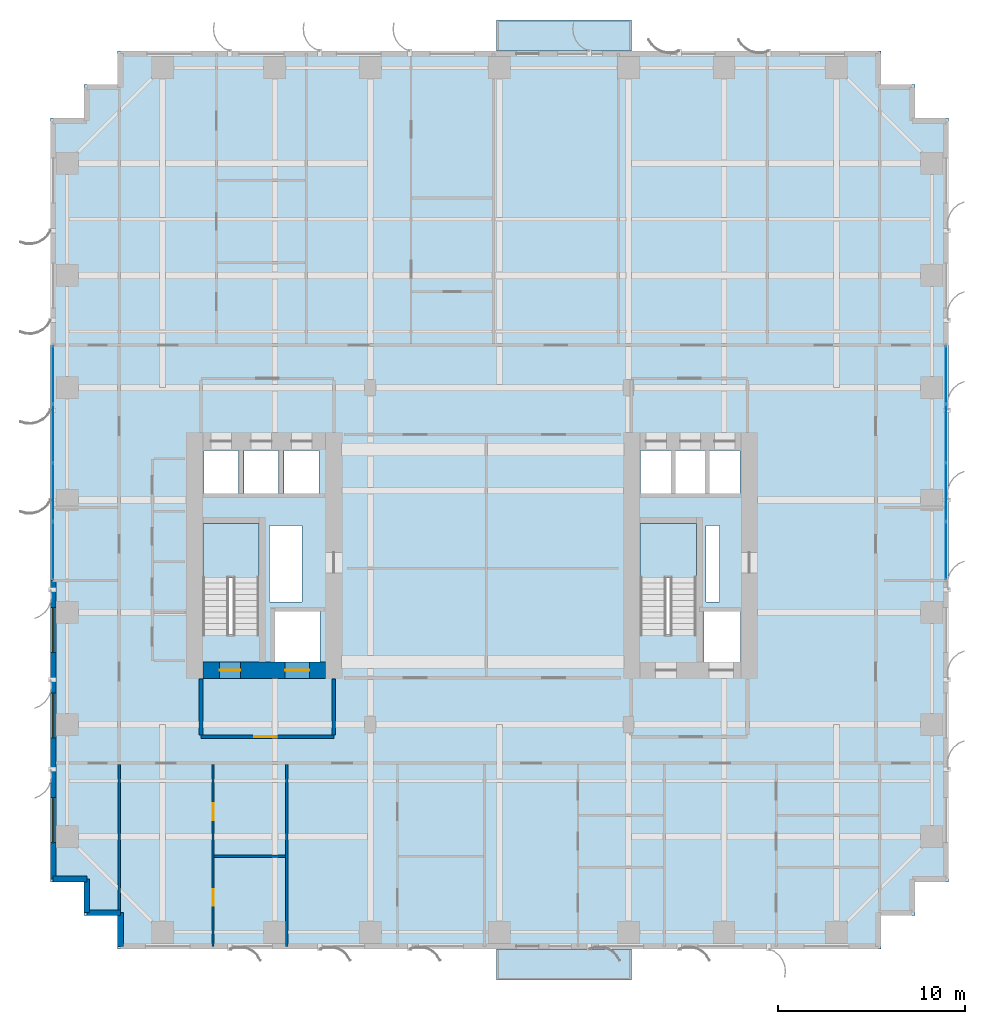
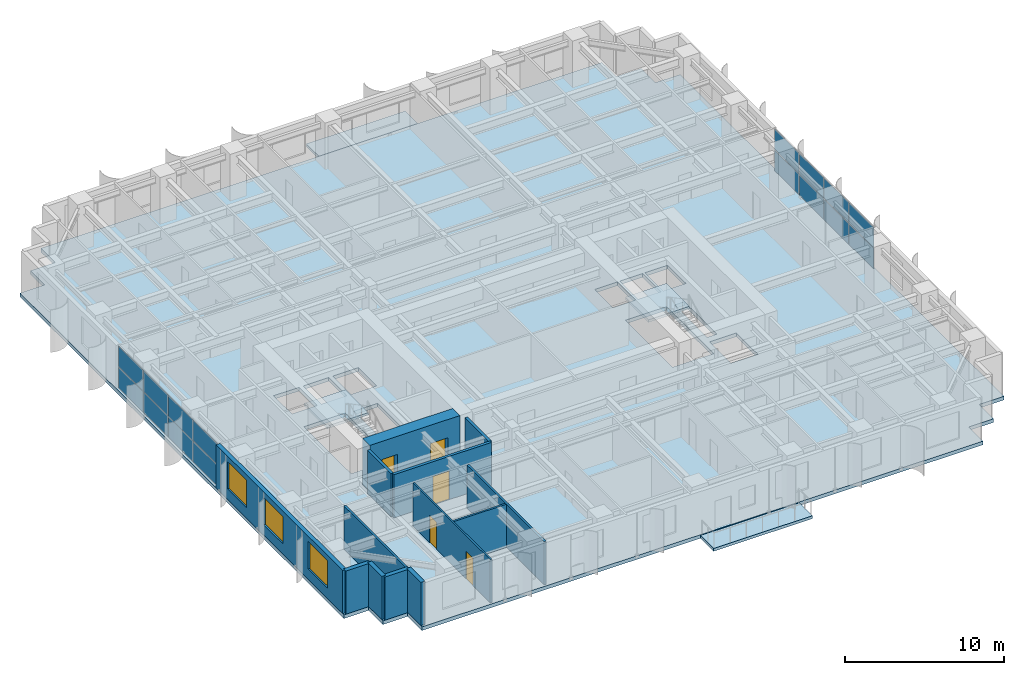
# One storey, part 8 of 17: 16 plates, 13 walls, 5 doors, 5 slabs, 3 windows, 8 openings, 4 elements without a shape of their own.
"""IFC4 building model written with IfcOpenShell, lengths in metres."""

from ifc_helpers import new_model, si_unit, direction, frame, frame_2d, origin, origin_2d, place, context, subcontext, project, spatial, polyline, rectangle, outline, extrude, source, transform, mapped, material, layer, layer_set, type_object, element, fill, aggregate, save


model = new_model("IFC4")

# Units and contexts
model_context = context("Model", 3, precision=1e-05, world=origin(), true_north=direction((0.0, 1.0)))
body_context = subcontext(model_context, "Body", "Model", "MODEL_VIEW")
ifc_project = project(units=[si_unit("LENGTHUNIT", "METRE"), si_unit("AREAUNIT", "SQUARE_METRE"), si_unit("VOLUMEUNIT", "CUBIC_METRE"), si_unit("PLANEANGLEUNIT", "RADIAN"), si_unit("MASSUNIT", "GRAM", prefix="KILO")], contexts=[model_context])

# Site, building, storey
site_placement = place(None, origin())
site = spatial("IfcSite", under=ifc_project, at=site_placement, CompositionType="ELEMENT")
building_placement = place(site_placement, origin())
building = spatial("IfcBuilding", under=site, at=building_placement, Name="Khoralis Quay Care Tower", CompositionType="ELEMENT")
storey_placement = place(building_placement, frame((0.0, 0.0, 58.5)))
storey = spatial("IfcBuildingStorey", under=building, at=storey_placement, Name="L15", CompositionType="ELEMENT", Elevation=58.5)

# Slabs
ifc_material_1 = material(Name="Concrete C45/55", Category="concrete")
ifc_layer_1 = layer(ifc_material_1, 0.219970703125)
ifc_layer_set_1 = layer_set([ifc_layer_1], Name="Concrete C45/55")
slab_type_1 = type_object("IfcSlabType", Name="SLB-EXT-BALC-220", PredefinedType="FLOOR", material=ifc_layer_set_1)
slab_1_placement = place(storey_placement, frame((0.0, 0.0, -0.280029296875)))
element("IfcSlab", 1, at=slab_1_placement, inside=storey, type_object=slab_type_1, Name="L15 Senior Loggia Balcony Slab P1E0", PredefinedType="FLOOR", context=body_context, shape_type="SweptSolid", body=[
    extrude(outline(polyline([(23.85009765625, -1.64990234375), (31.050048828125, -1.64990234375), (31.050048828125, 0.0), (23.85009765625, 0.0), (23.85009765625, -1.64990234375)])), origin(), (0.0, 0.0, 1.0), 0.219970703125),
])
slab_2_placement = place(storey_placement, frame((0.0, 0.0, -0.280029296875)))
element("IfcSlab", 2, at=slab_2_placement, inside=storey, type_object=slab_type_1, Name="L15 Senior Loggia Balcony Slab P1E10", PredefinedType="FLOOR", context=body_context, shape_type="SweptSolid", body=[
    extrude(outline(polyline([(23.85009765625, 48.0), (31.050048828125, 48.0), (31.050048828125, 49.64990234375), (23.85009765625, 49.64990234375), (23.85009765625, 48.0)])), origin(), (0.0, 0.0, 1.0), 0.219970703125),
])

# Stair, slab
ifc_material_2 = material(Name="Precast concrete C45/55", Category="concrete")
stair_type = type_object("IfcStairType", Name="ST-TWR-DOGLEG-1400", PredefinedType="HALF_TURN_STAIR", material=ifc_material_2)
stair_1_placement = place(storey_placement, origin())
stair_1 = element("IfcStair", 3, at=stair_1_placement, inside=storey, type_object=stair_type, Name="L15 West Core Exit Stair ST-T1", PredefinedType="HALF_TURN_STAIR")
ifc_layer_2 = layer(ifc_material_2, 0.199951171875)
ifc_layer_set_2 = layer_set([ifc_layer_2], Name="Precast concrete C45/55")
slab_type_2 = type_object("IfcSlabType", Name="SLB-LANDING-200", PredefinedType="LANDING", material=ifc_layer_set_2)
slab_3_placement = place(storey_placement, frame((0.0, 0.0, 1.60009765625)))
slab_3 = element("IfcSlab", 4, at=slab_3_placement, type_object=slab_type_2, Name="ST-T1 landing 1", PredefinedType="LANDING", context=body_context, shape_type="SweptSolid", body=[
    extrude(outline(polyline([(11.14990234375, 19.840087890625), (11.14990234375, 22.75), (8.14990234375, 22.75), (8.14990234375, 19.840087890625), (11.14990234375, 19.840087890625)])), origin(), (0.0, 0.0, 1.0), 0.199951171875),
])
aggregate(stair_1, [slab_3])

stair_2_placement = place(storey_placement, origin())
stair_2 = element("IfcStair", 5, at=stair_2_placement, inside=storey, type_object=stair_type, Name="L15 East Core Exit Stair ST-T2", PredefinedType="HALF_TURN_STAIR")
slab_4_placement = place(storey_placement, frame((0.0, 0.0, 1.60009765625)))
slab_4 = element("IfcSlab", 6, at=slab_4_placement, type_object=slab_type_2, Name="ST-T2 landing 1", PredefinedType="LANDING", context=body_context, shape_type="SweptSolid", body=[
    extrude(outline(polyline([(34.52001953125, 19.840087890625), (34.52001953125, 22.75), (31.52001953125, 22.75), (31.52001953125, 19.840087890625), (34.52001953125, 19.840087890625)])), origin(), (0.0, 0.0, 1.0), 0.199951171875),
])
aggregate(stair_2, [slab_4])

# Slab
ifc_material_3 = material(Name="Concrete C40/50", Category="concrete")
ifc_layer_3 = layer(ifc_material_3, 0.280029296875)
ifc_layer_set_3 = layer_set([ifc_layer_3], Name="Concrete C40/50")
slab_type_3 = type_object("IfcSlabType", Name="SLB-TWR-280", PredefinedType="FLOOR", material=ifc_layer_set_3)
slab_5_placement = place(storey_placement, frame((0.0, 0.0, -0.280029296875)))
element("IfcSlab", 7, at=slab_5_placement, inside=storey, type_object=slab_type_3, Name="Tower Floor Slab L15", PredefinedType="FLOOR", context=body_context, shape_type="SweptSolid", body=[
    extrude(outline(polyline([(3.60009765625, 0.0), (44.39990234375, 0.0), (44.39990234375, 1.800048828125), (46.199951171875, 1.800048828125), (46.199951171875, 3.60009765625), (48.0, 3.60009765625), (48.0, 44.39990234375), (46.199951171875, 44.39990234375), (46.199951171875, 46.199951171875), (44.39990234375, 46.199951171875), (44.39990234375, 48.0), (3.60009765625, 48.0), (3.60009765625, 46.199951171875), (1.800048828125, 46.199951171875), (1.800048828125, 44.39990234375), (0.0, 44.39990234375), (0.0, 3.60009765625), (1.800048828125, 3.60009765625), (1.800048828125, 1.800048828125), (3.60009765625, 1.800048828125), (3.60009765625, 0.0)]), holes=[polyline([(11.14990234375, 16.800048828125), (11.14990234375, 22.75), (8.14990234375, 22.75), (8.14990234375, 16.800048828125), (11.14990234375, 16.800048828125)]), polyline([(34.52001953125, 16.800048828125), (34.52001953125, 22.75), (31.52001953125, 22.75), (31.52001953125, 16.800048828125), (34.52001953125, 16.800048828125)]), polyline([(12.0, 15.35009765625), (14.39990234375, 15.35009765625), (14.39990234375, 18.050048828125), (12.0, 18.050048828125), (12.0, 15.35009765625)]), polyline([(34.919921875, 15.35009765625), (36.8798828125, 15.35009765625), (36.8798828125, 18.050048828125), (34.919921875, 18.050048828125), (34.919921875, 15.35009765625)]), polyline([(8.199951171875, 24.35009765625), (10.050048828125, 24.35009765625), (10.050048828125, 26.64990234375), (8.199951171875, 26.64990234375), (8.199951171875, 24.35009765625)]), polyline([(31.550048828125, 24.35009765625), (33.199951171875, 24.35009765625), (33.199951171875, 26.64990234375), (31.550048828125, 26.64990234375), (31.550048828125, 24.35009765625)]), polyline([(10.35009765625, 24.35009765625), (12.199951171875, 24.35009765625), (12.199951171875, 26.64990234375), (10.35009765625, 26.64990234375), (10.35009765625, 24.35009765625)]), polyline([(33.3798828125, 24.35009765625), (35.030029296875, 24.35009765625), (35.030029296875, 26.64990234375), (33.3798828125, 26.64990234375), (33.3798828125, 24.35009765625)]), polyline([(12.5, 24.35009765625), (14.35009765625, 24.35009765625), (14.35009765625, 26.64990234375), (12.5, 26.64990234375), (12.5, 24.35009765625)]), polyline([(35.199951171875, 24.35009765625), (36.85009765625, 24.35009765625), (36.85009765625, 26.64990234375), (35.199951171875, 26.64990234375), (35.199951171875, 24.35009765625)]), polyline([(11.719970703125, 18.550048828125), (13.449951171875, 18.550048828125), (13.449951171875, 22.64990234375), (11.719970703125, 22.64990234375), (11.719970703125, 18.550048828125)]), polyline([(35.050048828125, 18.550048828125), (35.75, 18.550048828125), (35.75, 22.64990234375), (35.050048828125, 22.64990234375), (35.050048828125, 18.550048828125)])]), origin(), (0.0, 0.0, 1.0), 0.280029296875),
])

# Curtain wall, plates
ifc_material_4 = material(Name="Pale anodised aluminium", Category="aluminium")
ifc_layer_4 = layer(ifc_material_4, 0.179931640625)
ifc_layer_set_4 = layer_set([ifc_layer_4], Name="Pale anodised aluminium")
curtain_wall_type = type_object("IfcCurtainWallType", Name="CW-SYS-Z1", PredefinedType="NOTDEFINED", material=ifc_layer_set_4)
curtain_wall_1_placement = place(storey_placement, origin())
curtain_wall_1 = element("IfcCurtainWall", 8, at=curtain_wall_1_placement, inside=storey, type_object=curtain_wall_type, Name="L15 Unitised Curtain Wall CW-L15-P1-E5", PredefinedType="NOTDEFINED")
ifc_material_5 = material(Name="Low-E solar-control double glazing", Category="glass")
ifc_layer_5 = layer(ifc_material_5, 0.031982421875)
ifc_layer_set_5 = layer_set([ifc_layer_5], Name="Low-E solar-control double glazing")
plate_type = type_object("IfcPlateType", Name="PNL-VIS-32", PredefinedType="CURTAIN_PANEL", material=ifc_layer_set_5)
shared_shape_1 = source(origin(), body_context, "Body", "SweptSolid", [
    extrude(rectangle(XDim=3.054931640625, YDim=0.028076171875, at=origin_2d()), origin(), (0.0, 0.0, 1.0), 1.570068359375),
])
plate_1_placement = place(storey_placement, frame((47.85009765625, 21.28759765625, 0.06005859375), z_axis=(0.0, 0.0, 1.0), x_axis=(0.0, 1.0, 0.0)))
plate_1 = element("IfcPlate", 9, at=plate_1_placement, type_object=plate_type, Name="CW1 panel 1.1", PredefinedType="CURTAIN_PANEL", context=body_context, shape_type="MappedRepresentation", body=[
    mapped(shared_shape_1, transform((0.0, 0.0, 0.0), scale=1.0)),
])
plate_2_placement = place(storey_placement, frame((47.85009765625, 21.28759765625, 1.68994140625), z_axis=(0.0, 0.0, 1.0), x_axis=(0.0, 1.0, 0.0)))
plate_2 = element("IfcPlate", 10, at=plate_2_placement, type_object=plate_type, Name="CW1 panel 1.2", PredefinedType="CURTAIN_PANEL", context=body_context, shape_type="MappedRepresentation", body=[
    mapped(shared_shape_1, transform((0.0, 0.0, 0.0), scale=1.0)),
])
plate_3_placement = place(storey_placement, frame((47.85009765625, 30.6923828125, 0.06005859375), z_axis=(0.0, 0.0, 1.0), x_axis=(0.0, 1.0, 0.0)))
plate_3 = element("IfcPlate", 11, at=plate_3_placement, type_object=plate_type, Name="CW1 panel 4.1", PredefinedType="CURTAIN_PANEL", context=body_context, shape_type="MappedRepresentation", body=[
    mapped(shared_shape_1, transform((0.0, 0.0, 0.0), scale=1.0)),
])
plate_4_placement = place(storey_placement, frame((47.85009765625, 30.6923828125, 1.68994140625), z_axis=(0.0, 0.0, 1.0), x_axis=(0.0, 1.0, 0.0)))
plate_4 = element("IfcPlate", 12, at=plate_4_placement, type_object=plate_type, Name="CW1 panel 4.2", PredefinedType="CURTAIN_PANEL", context=body_context, shape_type="MappedRepresentation", body=[
    mapped(shared_shape_1, transform((0.0, 0.0, 0.0), scale=1.0)),
])

curtain_wall_2_placement = place(storey_placement, origin())
curtain_wall_2 = element("IfcCurtainWall", 13, at=curtain_wall_2_placement, inside=storey, type_object=curtain_wall_type, Name="L15 Unitised Curtain Wall CW-L15-P1-E15", PredefinedType="NOTDEFINED")
plate_5_placement = place(storey_placement, frame((0.14990234375, 30.6923828125, 0.06005859375), z_axis=(0.0, 0.0, 1.0), x_axis=(0.0, -1.0, 0.0)))
plate_5 = element("IfcPlate", 14, at=plate_5_placement, type_object=plate_type, Name="CW1 panel 1.1", PredefinedType="CURTAIN_PANEL", context=body_context, shape_type="MappedRepresentation", body=[
    mapped(shared_shape_1, transform((0.0, 0.0, 0.0), scale=1.0)),
])
plate_6_placement = place(storey_placement, frame((0.14990234375, 30.6923828125, 1.68994140625), z_axis=(0.0, 0.0, 1.0), x_axis=(0.0, -1.0, 0.0)))
plate_6 = element("IfcPlate", 15, at=plate_6_placement, type_object=plate_type, Name="CW1 panel 1.2", PredefinedType="CURTAIN_PANEL", context=body_context, shape_type="MappedRepresentation", body=[
    mapped(shared_shape_1, transform((0.0, 0.0, 0.0), scale=1.0)),
])
plate_7_placement = place(storey_placement, frame((0.14990234375, 21.28759765625, 0.06005859375), z_axis=(0.0, 0.0, 1.0), x_axis=(0.0, -1.0, 0.0)))
plate_7 = element("IfcPlate", 16, at=plate_7_placement, type_object=plate_type, Name="CW1 panel 4.1", PredefinedType="CURTAIN_PANEL", context=body_context, shape_type="MappedRepresentation", body=[
    mapped(shared_shape_1, transform((0.0, 0.0, 0.0), scale=1.0)),
])
plate_8_placement = place(storey_placement, frame((0.14990234375, 21.28759765625, 1.68994140625), z_axis=(0.0, 0.0, 1.0), x_axis=(0.0, -1.0, 0.0)))
plate_8 = element("IfcPlate", 17, at=plate_8_placement, type_object=plate_type, Name="CW1 panel 4.2", PredefinedType="CURTAIN_PANEL", context=body_context, shape_type="MappedRepresentation", body=[
    mapped(shared_shape_1, transform((0.0, 0.0, 0.0), scale=1.0)),
])

# Plate
shared_shape_2 = source(origin(), body_context, "Body", "SweptSolid", [
    extrude(rectangle(XDim=3.0849609375, YDim=0.028076171875, at=origin_2d()), origin(), (0.0, 0.0, 1.0), 1.570068359375),
])
plate_9_placement = place(storey_placement, frame((47.85009765625, 24.41748046875, 0.06005859375), z_axis=(0.0, 0.0, 1.0), x_axis=(0.0, 1.0, 0.0)))
plate_9 = element("IfcPlate", 18, at=plate_9_placement, type_object=plate_type, Name="CW1 panel 2.1", PredefinedType="CURTAIN_PANEL", context=body_context, shape_type="MappedRepresentation", body=[
    mapped(shared_shape_2, transform((0.0, 0.0, 0.0), scale=1.0)),
])

plate_10_placement = place(storey_placement, frame((47.85009765625, 24.41748046875, 1.68994140625), z_axis=(0.0, 0.0, 1.0), x_axis=(0.0, 1.0, 0.0)))
plate_10 = element("IfcPlate", 19, at=plate_10_placement, type_object=plate_type, Name="CW1 panel 2.2", PredefinedType="CURTAIN_PANEL", context=body_context, shape_type="MappedRepresentation", body=[
    mapped(shared_shape_2, transform((0.0, 0.0, 0.0), scale=1.0)),
])

plate_11_placement = place(storey_placement, frame((47.85009765625, 27.5625, 0.06005859375), z_axis=(0.0, 0.0, 1.0), x_axis=(0.0, 1.0, 0.0)))
plate_11 = element("IfcPlate", 20, at=plate_11_placement, type_object=plate_type, Name="CW1 panel 3.1", PredefinedType="CURTAIN_PANEL", context=body_context, shape_type="MappedRepresentation", body=[
    mapped(shared_shape_2, transform((0.0, 0.0, 0.0), scale=1.0)),
])

plate_12_placement = place(storey_placement, frame((47.85009765625, 27.5625, 1.68994140625), z_axis=(0.0, 0.0, 1.0), x_axis=(0.0, 1.0, 0.0)))
plate_12 = element("IfcPlate", 21, at=plate_12_placement, type_object=plate_type, Name="CW1 panel 3.2", PredefinedType="CURTAIN_PANEL", context=body_context, shape_type="MappedRepresentation", body=[
    mapped(shared_shape_2, transform((0.0, 0.0, 0.0), scale=1.0)),
])

aggregate(curtain_wall_1, [plate_1, plate_2, plate_9, plate_10, plate_11, plate_12, plate_3, plate_4])

plate_13_placement = place(storey_placement, frame((0.14990234375, 27.5625, 0.06005859375), z_axis=(0.0, 0.0, 1.0), x_axis=(0.0, -1.0, 0.0)))
plate_13 = element("IfcPlate", 22, at=plate_13_placement, type_object=plate_type, Name="CW1 panel 2.1", PredefinedType="CURTAIN_PANEL", context=body_context, shape_type="MappedRepresentation", body=[
    mapped(shared_shape_2, transform((0.0, 0.0, 0.0), scale=1.0)),
])

plate_14_placement = place(storey_placement, frame((0.14990234375, 27.5625, 1.68994140625), z_axis=(0.0, 0.0, 1.0), x_axis=(0.0, -1.0, 0.0)))
plate_14 = element("IfcPlate", 23, at=plate_14_placement, type_object=plate_type, Name="CW1 panel 2.2", PredefinedType="CURTAIN_PANEL", context=body_context, shape_type="MappedRepresentation", body=[
    mapped(shared_shape_2, transform((0.0, 0.0, 0.0), scale=1.0)),
])

plate_15_placement = place(storey_placement, frame((0.14990234375, 24.41748046875, 0.06005859375), z_axis=(0.0, 0.0, 1.0), x_axis=(0.0, -1.0, 0.0)))
plate_15 = element("IfcPlate", 24, at=plate_15_placement, type_object=plate_type, Name="CW1 panel 3.1", PredefinedType="CURTAIN_PANEL", context=body_context, shape_type="MappedRepresentation", body=[
    mapped(shared_shape_2, transform((0.0, 0.0, 0.0), scale=1.0)),
])

plate_16_placement = place(storey_placement, frame((0.14990234375, 24.41748046875, 1.68994140625), z_axis=(0.0, 0.0, 1.0), x_axis=(0.0, -1.0, 0.0)))
plate_16 = element("IfcPlate", 25, at=plate_16_placement, type_object=plate_type, Name="CW1 panel 3.2", PredefinedType="CURTAIN_PANEL", context=body_context, shape_type="MappedRepresentation", body=[
    mapped(shared_shape_2, transform((0.0, 0.0, 0.0), scale=1.0)),
])

aggregate(curtain_wall_2, [plate_5, plate_6, plate_13, plate_14, plate_15, plate_16, plate_7, plate_8])

# Wall, opening, door
ifc_material_6 = material(Name="Gypsum plasterboard on acoustic metal stud")
ifc_layer_6 = layer(ifc_material_6, 0.199951171875)
ifc_layer_set_6 = layer_set([ifc_layer_6], Name="Gypsum plasterboard on acoustic metal stud")
wall_type_1 = type_object("IfcWallType", Name="WL-COMP-200", PredefinedType="PARTITIONING", material=ifc_layer_set_6)
wall_1_placement = place(storey_placement, frame((8.050048828125, 11.35009765625, 0.0), z_axis=(0.0, 0.0, 1.0), x_axis=(1.0, 0.0, 0.0)))
wall_1 = element("IfcWall", 26, at=wall_1_placement, inside=storey, type_object=wall_type_1, Name="L15 West Firefighting Lobby South Wall", PredefinedType="PARTITIONING", context=body_context, shape_type="SweptSolid", body=[
    extrude(rectangle(XDim=7.099853515625, YDim=0.199951171875, at=frame_2d((3.5498046875, 0.0))), origin(), (0.0, 0.0, 1.0), 3.320068359375),
])
opening_1_placement = place(wall_1_placement, frame((2.846435546875, 0.0, 0.0)))
opening_1 = element("IfcOpeningElement", 27, at=opening_1_placement, cuts=wall_1, Name="Opening FD1", PredefinedType="OPENING", context=body_context, shape_type="SweptSolid", body=[
    extrude(rectangle(XDim=1.199951171875, YDim=2.199951171875, at=frame_2d((0.60009765625, 1.10009765625))), frame((0.0, 0.10986328125, 0.0), z_axis=(0.0, -1.0, 0.0), x_axis=(1.0, 0.0, 0.0)), (0.0, 0.0, 1.0), 0.219970703125),
])
ifc_material_7 = material(Name="Fire-rated painted steel", Category="steel")
door_type_1 = type_object("IfcDoorType", Name="DR-FFL-1200X2200", OperationType="NOTDEFINED", PredefinedType="DOOR", material=ifc_material_7)
shared_shape_3 = source(origin(), body_context, "Body", "SweptSolid", [
    extrude(rectangle(XDim=1.199951171875, YDim=2.199951171875, at=frame_2d((0.60009765625, 1.10009765625))), frame((0.0, 0.02490234375, 0.0), z_axis=(0.0, -1.0, 0.0), x_axis=(1.0, 0.0, 0.0)), (0.0, 0.0, 1.0), 0.050048828125),
])
door_1_placement = place(opening_1_placement, origin())
door_1 = element("IfcDoor", 28, at=door_1_placement, inside=storey, type_object=door_type_1, Name="L15 West Firefighting Lobby Fire Door", OperationType="SINGLE_SWING_LEFT", OverallHeight=2.199951171875, OverallWidth=1.199951171875, PredefinedType="DOOR", context=body_context, shape_type="MappedRepresentation", body=[
    mapped(shared_shape_3, transform((0.0, 0.0, 0.0), scale=1.0)),
])
fill(opening_1, door_1)

# Walls
for number, where, z_axis, x_axis, name in (
    (29, (8.050048828125, 11.445068359375, 0.0), (0.0, 0.0, 1.0), (0.0, 1.0, 0.0), "L15 West Firefighting Lobby West Wall"),
    (30, (15.14990234375, 11.445068359375, 0.0), (0.0, 0.0, 1.0), (0.0, 1.0, 0.0), "L15 West Firefighting Lobby East Wall"),
):
    element("IfcWall", number, at=place(storey_placement, frame(where, z_axis=z_axis, x_axis=x_axis)), inside=storey, type_object=wall_type_1, Name=name, PredefinedType="PARTITIONING", context=body_context, shape_type="SweptSolid", body=[
        extrude(rectangle(XDim=2.98486328125, YDim=0.199951171875, at=frame_2d((1.492431640625, 0.0))), origin(), (0.0, 0.0, 1.0), 3.320068359375),
    ])

# Wall, openings, doors
ifc_material_8 = material(Name="Concrete C80/95", Category="concrete")
ifc_layer_7 = layer(ifc_material_8, 0.89990234375)
ifc_layer_set_7 = layer_set([ifc_layer_7], Name="Concrete C80/95")
wall_type_2 = type_object("IfcWallType", Name="WL-CORE-900", PredefinedType="SHEAR", material=ifc_layer_set_7)
wall_2_placement = place(storey_placement, frame((8.14990234375, 14.89990234375, 0.0), z_axis=(0.0, 0.0, 1.0), x_axis=(1.0, 0.0, 0.0)))
wall_2 = element("IfcWall", 31, at=wall_2_placement, inside=storey, type_object=wall_type_2, Name="L15 WCORE South Shear Wall", PredefinedType="SHEAR", context=body_context, shape_type="SweptSolid", body=[
    extrude(rectangle(XDim=6.550048828125, YDim=0.89990234375, at=frame_2d((3.27490234375, 0.0))), origin(), (0.0, 0.0, 1.0), 3.60009765625),
])
opening_2_placement = place(wall_2_placement, frame((0.89990234375, 0.0, 0.0)))
opening_2 = element("IfcOpeningElement", 32, at=opening_2_placement, cuts=wall_2, Name="Opening SD1", PredefinedType="OPENING", context=body_context, shape_type="SweptSolid", body=[
    extrude(rectangle(XDim=1.10009765625, YDim=2.199951171875, at=frame_2d((0.550048828125, 1.10009765625))), frame((0.0, 0.4599609375, 0.0), z_axis=(0.0, -1.0, 0.0), x_axis=(1.0, 0.0, 0.0)), (0.0, 0.0, 1.0), 0.919921875),
])
opening_3_placement = place(wall_2_placement, frame((4.39990234375, 0.0, 0.0)))
opening_3 = element("IfcOpeningElement", 33, at=opening_3_placement, cuts=wall_2, Name="Opening LD2", PredefinedType="OPENING", context=body_context, shape_type="SweptSolid", body=[
    extrude(rectangle(XDim=1.300048828125, YDim=2.199951171875, at=frame_2d((0.64990234375, 1.10009765625))), frame((0.0, 0.4599609375, 0.0), z_axis=(0.0, -1.0, 0.0), x_axis=(1.0, 0.0, 0.0)), (0.0, 0.0, 1.0), 0.919921875),
])
door_type_2 = type_object("IfcDoorType", Name="DR-STAIR-1100X2200", OperationType="NOTDEFINED", PredefinedType="DOOR", material=ifc_material_7)
shared_shape_4 = source(origin(), body_context, "Body", "SweptSolid", [
    extrude(rectangle(XDim=1.10009765625, YDim=2.199951171875, at=frame_2d((0.550048828125, 1.10009765625))), frame((0.0, 0.02490234375, 0.0), z_axis=(0.0, -1.0, 0.0), x_axis=(1.0, 0.0, 0.0)), (0.0, 0.0, 1.0), 0.050048828125),
])
door_2_placement = place(opening_2_placement, origin())
door_2 = element("IfcDoor", 34, at=door_2_placement, inside=storey, type_object=door_type_2, Name="L15 Stair ST-T1 Fire Door", OperationType="SINGLE_SWING_LEFT", OverallHeight=2.199951171875, OverallWidth=1.10009765625, PredefinedType="DOOR", context=body_context, shape_type="MappedRepresentation", body=[
    mapped(shared_shape_4, transform((0.0, 0.0, 0.0), scale=1.0)),
])
fill(opening_2, door_2)
ifc_material_9 = material(Name="Brushed stainless steel", Category="steel")
door_type_3 = type_object("IfcDoorType", Name="DR-LIFT-1300X2200", OperationType="SLIDING_TO_RIGHT", PredefinedType="DOOR", material=ifc_material_9)
shared_shape_5 = source(origin(), body_context, "Body", "SweptSolid", [
    extrude(rectangle(XDim=1.300048828125, YDim=2.199951171875, at=frame_2d((0.64990234375, 1.10009765625))), frame((0.0, 0.02490234375, 0.0), z_axis=(0.0, -1.0, 0.0), x_axis=(1.0, 0.0, 0.0)), (0.0, 0.0, 1.0), 0.050048828125),
])
door_3_placement = place(opening_3_placement, origin())
door_3 = element("IfcDoor", 35, at=door_3_placement, inside=storey, type_object=door_type_3, Name="L15 Firefighting Lift FFL-1 Landing Door", OperationType="SLIDING_TO_RIGHT", OverallHeight=2.199951171875, OverallWidth=1.300048828125, PredefinedType="DOOR", context=body_context, shape_type="MappedRepresentation", body=[
    mapped(shared_shape_5, transform((0.0, 0.0, 0.0), scale=1.0)),
])
fill(opening_3, door_3)

# Wall, openings, windows
ifc_layer_8 = layer(ifc_material_2, 0.300048828125)
ifc_layer_set_8 = layer_set([ifc_layer_8], Name="Precast concrete C45/55")
wall_type_3 = type_object("IfcWallType", Name="WL-EXT-REF-300", PredefinedType="SOLIDWALL", material=ifc_layer_set_8)
wall_3_placement = place(storey_placement, frame((0.14990234375, 19.699951171875, 0.0), z_axis=(0.0, 0.0, 1.0), x_axis=(0.0, -1.0, 0.0)))
wall_3 = element("IfcWall", 36, at=wall_3_placement, inside=storey, type_object=wall_type_3, Name="L15 External Facade Wall WL-EXT-L15-P1-E15B", PredefinedType="SOLIDWALL", context=body_context, shape_type="SweptSolid", body=[
    extrude(rectangle(XDim=15.949951171875, YDim=0.300048828125, at=frame_2d((7.97509765625, 0.0))), origin(), (0.0, 0.0, 1.0), 3.320068359375),
])
opening_4_placement = place(wall_3_placement, frame((1.445068359375, 0.0, 0.800048828125)))
opening_4 = element("IfcOpeningElement", 37, at=opening_4_placement, cuts=wall_3, Name="Opening W1", PredefinedType="OPENING", context=body_context, shape_type="SweptSolid", body=[
    extrude(rectangle(XDim=2.39990234375, YDim=2.10009765625, at=frame_2d((1.199951171875, 1.050048828125))), frame((0.0, 0.16015625, 0.0), z_axis=(0.0, -1.0, 0.0), x_axis=(1.0, 0.0, 0.0)), (0.0, 0.0, 1.0), 0.320068359375),
])
opening_5_placement = place(wall_3_placement, frame((6.014892578125, 0.0, 0.800048828125)))
opening_5 = element("IfcOpeningElement", 38, at=opening_5_placement, cuts=wall_3, Name="Opening W1", PredefinedType="OPENING", context=body_context, shape_type="SweptSolid", body=[
    extrude(rectangle(XDim=2.39990234375, YDim=2.10009765625, at=frame_2d((1.199951171875, 1.050048828125))), frame((0.0, 0.16015625, 0.0), z_axis=(0.0, -1.0, 0.0), x_axis=(1.0, 0.0, 0.0)), (0.0, 0.0, 1.0), 0.320068359375),
])
opening_6_placement = place(wall_3_placement, frame((11.60498046875, 0.0, 0.800048828125)))
opening_6 = element("IfcOpeningElement", 39, at=opening_6_placement, cuts=wall_3, Name="Opening W1", PredefinedType="OPENING", context=body_context, shape_type="SweptSolid", body=[
    extrude(rectangle(XDim=2.39990234375, YDim=2.10009765625, at=frame_2d((1.199951171875, 1.050048828125))), frame((0.0, 0.16015625, 0.0), z_axis=(0.0, -1.0, 0.0), x_axis=(1.0, 0.0, 0.0)), (0.0, 0.0, 1.0), 0.320068359375),
])
window_type = type_object("IfcWindowType", Name="WN-POD-2400X2100", PartitioningType="SINGLE_PANEL", PredefinedType="WINDOW", material=ifc_material_5)
shared_shape_6 = source(origin(), body_context, "Body", "SweptSolid", [
    extrude(rectangle(XDim=2.39990234375, YDim=2.10009765625, at=frame_2d((1.199951171875, 1.050048828125))), frame((0.0, 0.030029296875, 0.0), z_axis=(0.0, -1.0, 0.0), x_axis=(1.0, 0.0, 0.0)), (0.0, 0.0, 1.0), 0.06005859375),
])
window_1_placement = place(opening_4_placement, origin())
window_1 = element("IfcWindow", 40, at=window_1_placement, inside=storey, type_object=window_type, Name="WN-L15-P1-E15B Facade Window 01", OverallHeight=2.10009765625, OverallWidth=2.39990234375, PartitioningType="SINGLE_PANEL", PredefinedType="WINDOW", context=body_context, shape_type="MappedRepresentation", body=[
    mapped(shared_shape_6, transform((0.0, 0.0, 0.0), scale=1.0)),
])
fill(opening_4, window_1)
window_2_placement = place(opening_5_placement, origin())
window_2 = element("IfcWindow", 41, at=window_2_placement, inside=storey, type_object=window_type, Name="WN-L15-P1-E15B Facade Window 02", OverallHeight=2.10009765625, OverallWidth=2.39990234375, PartitioningType="SINGLE_PANEL", PredefinedType="WINDOW", context=body_context, shape_type="MappedRepresentation", body=[
    mapped(shared_shape_6, transform((0.0, 0.0, 0.0), scale=1.0)),
])
fill(opening_5, window_2)
window_3_placement = place(opening_6_placement, origin())
window_3 = element("IfcWindow", 42, at=window_3_placement, inside=storey, type_object=window_type, Name="WN-L15-P1-E15B Facade Window 03", OverallHeight=2.10009765625, OverallWidth=2.39990234375, PartitioningType="SINGLE_PANEL", PredefinedType="WINDOW", context=body_context, shape_type="MappedRepresentation", body=[
    mapped(shared_shape_6, transform((0.0, 0.0, 0.0), scale=1.0)),
])
fill(opening_6, window_3)

# Walls
for number, where, z_axis, x_axis, name in (
    (43, (0.14990234375, 3.75, 0.0), (0.0, 0.0, 1.0), (1.0, 0.0, 0.0), "L15 External Facade Wall WL-EXT-L15-P1-C16"),
    (44, (1.949951171875, 3.75, 0.0), (0.0, 0.0, 1.0), (0.0, -1.0, 0.0), "L15 External Facade Wall WL-EXT-L15-P1-C17"),
    (45, (1.949951171875, 1.949951171875, 0.0), (0.0, 0.0, 1.0), (1.0, 0.0, 0.0), "L15 External Facade Wall WL-EXT-L15-P1-C18"),
    (46, (3.75, 1.949951171875, 0.0), (0.0, 0.0, 1.0), (0.0, -1.0, 0.0), "L15 External Facade Wall WL-EXT-L15-P1-C19"),
):
    element("IfcWall", number, at=place(storey_placement, frame(where, z_axis=z_axis, x_axis=x_axis)), inside=storey, type_object=wall_type_3, Name=name, PredefinedType="SOLIDWALL", context=body_context, shape_type="SweptSolid", body=[
        extrude(rectangle(XDim=1.800048828125, YDim=0.300048828125, at=frame_2d((0.89990234375, 0.0))), origin(), (0.0, 0.0, 1.0), 3.320068359375),
    ])

# Wall, openings, doors
ifc_layer_9 = layer(ifc_material_6, 0.114990234375)
ifc_layer_set_9 = layer_set([ifc_layer_9], Name="Gypsum plasterboard on acoustic metal stud")
wall_type_4 = type_object("IfcWallType", Name="WL-PART-115", PredefinedType="PARTITIONING", material=ifc_layer_set_9)
wall_4_placement = place(storey_placement, frame((8.697998046875, 0.14501953125, 0.0), z_axis=(0.0, 0.0, 1.0), x_axis=(0.0, 1.0, 0.0)))
wall_4 = element("IfcWall", 47, at=wall_4_placement, inside=storey, type_object=wall_type_4, Name="L15 Studio 0 Internal Wall", PredefinedType="PARTITIONING", context=body_context, shape_type="SweptSolid", body=[
    extrude(rectangle(XDim=9.717529296875, YDim=0.114990234375, at=frame_2d((4.85888671875, 0.0))), origin(), (0.0, 0.0, 1.0), 3.320068359375),
])
opening_7_placement = place(wall_4_placement, frame((2.1650390625, 0.0, 0.0)))
opening_7 = element("IfcOpeningElement", 48, at=opening_7_placement, cuts=wall_4, Name="Opening WD1", PredefinedType="OPENING", context=body_context, shape_type="SweptSolid", body=[
    extrude(rectangle(XDim=0.89990234375, YDim=2.10009765625, at=frame_2d((0.449951171875, 1.050048828125))), frame((0.0, 0.0673828125, 0.0), z_axis=(0.0, -1.0, 0.0), x_axis=(1.0, 0.0, 0.0)), (0.0, 0.0, 1.0), 0.135009765625),
])
opening_8_placement = place(wall_4_placement, frame((6.7451171875, 0.0, 0.0)))
opening_8 = element("IfcOpeningElement", 49, at=opening_8_placement, cuts=wall_4, Name="Opening WD1", PredefinedType="OPENING", context=body_context, shape_type="SweptSolid", body=[
    extrude(rectangle(XDim=0.89990234375, YDim=2.10009765625, at=frame_2d((0.449951171875, 1.050048828125))), frame((0.0, 0.0673828125, 0.0), z_axis=(0.0, -1.0, 0.0), x_axis=(1.0, 0.0, 0.0)), (0.0, 0.0, 1.0), 0.135009765625),
])
ifc_material_10 = material(Name="Acoustic hardwood timber", Category="wood")
door_type_4 = type_object("IfcDoorType", Name="DR-BATH-900X2100", OperationType="NOTDEFINED", PredefinedType="DOOR", material=ifc_material_10)
shared_shape_7 = source(origin(), body_context, "Body", "SweptSolid", [
    extrude(rectangle(XDim=0.89990234375, YDim=2.10009765625, at=frame_2d((0.449951171875, 1.050048828125))), frame((0.0, 0.02490234375, 0.0), z_axis=(0.0, -1.0, 0.0), x_axis=(1.0, 0.0, 0.0)), (0.0, 0.0, 1.0), 0.050048828125),
])
door_4_placement = place(opening_7_placement, frame((0.89990234375, 0.0, 0.0), z_axis=(0.0, 0.0, 1.0), x_axis=(-1.0, 0.0, 0.0)))
door_4 = element("IfcDoor", 50, at=door_4_placement, inside=storey, type_object=door_type_4, Name="L15 Studio SKT Door", OperationType="SINGLE_SWING_RIGHT", OverallHeight=2.10009765625, OverallWidth=0.89990234375, PredefinedType="DOOR", context=body_context, shape_type="MappedRepresentation", body=[
    mapped(shared_shape_7, transform((0.0, 0.0, 0.0), scale=1.0)),
])
fill(opening_7, door_4)
door_5_placement = place(opening_8_placement, frame((0.89990234375, 0.0, 0.0), z_axis=(0.0, 0.0, 1.0), x_axis=(-1.0, 0.0, 0.0)))
door_5 = element("IfcDoor", 51, at=door_5_placement, inside=storey, type_object=door_type_4, Name="L15 Studio SBH Door", OperationType="SINGLE_SWING_LEFT", OverallHeight=2.10009765625, OverallWidth=0.89990234375, PredefinedType="DOOR", context=body_context, shape_type="MappedRepresentation", body=[
    mapped(shared_shape_7, transform((0.0, 0.0, 0.0), scale=1.0)),
])
fill(opening_8, door_5)

# Walls
ifc_material_11 = material(Name="Moisture-resistant gypsum and ceramic tile")
ifc_layer_10 = layer(ifc_material_11, 0.280029296875)
ifc_layer_set_10 = layer_set([ifc_layer_10], Name="Moisture-resistant gypsum and ceramic tile")
wall_type_5 = type_object("IfcWallType", Name="WL-PLUMB-280", PredefinedType="PLUMBINGWALL", material=ifc_layer_set_10)
wall_5_placement = place(storey_placement, frame((8.75048828125, 4.969970703125, 0.0), z_axis=(0.0, 0.0, 1.0), x_axis=(1.0, 0.0, 0.0)))
element("IfcWall", 52, at=wall_5_placement, inside=storey, type_object=wall_type_5, Name="L15 Studio 0 Wet Split", PredefinedType="PLUMBINGWALL", context=body_context, shape_type="SweptSolid", body=[
    extrude(rectangle(XDim=3.824462890625, YDim=0.139892578125, at=frame_2d((1.912109375, 0.0))), origin(), (0.0, 0.0, 1.0), 3.320068359375),
])
ifc_layer_11 = layer(ifc_material_6, 0.139892578125)
ifc_layer_set_11 = layer_set([ifc_layer_11], Name="Gypsum plasterboard on acoustic metal stud")
wall_type_6 = type_object("IfcWallType", Name="WL-UNIT-140", PredefinedType="PARTITIONING", material=ifc_layer_set_11)
wall_6_placement = place(storey_placement, frame((3.679931640625, 1.945068359375, 0.0), z_axis=(0.0, 0.0, 1.0), x_axis=(0.0, 1.0, 0.0)))
element("IfcWall", 53, at=wall_6_placement, inside=storey, type_object=wall_type_6, Name="L15 SB Demising Wall 0", PredefinedType="PARTITIONING", context=body_context, shape_type="SweptSolid", body=[
    extrude(rectangle(XDim=7.91748046875, YDim=0.139892578125, at=frame_2d((3.958740234375, 0.0))), origin(), (0.0, 0.0, 1.0), 3.320068359375),
])
wall_7_placement = place(storey_placement, frame((12.639892578125, 0.14501953125, 0.0), z_axis=(0.0, 0.0, 1.0), x_axis=(0.0, 1.0, 0.0)))
element("IfcWall", 54, at=wall_7_placement, inside=storey, type_object=wall_type_6, Name="L15 SB Demising Wall 1", PredefinedType="PARTITIONING", context=body_context, shape_type="SweptSolid", body=[
    extrude(rectangle(XDim=9.717529296875, YDim=0.139892578125, at=frame_2d((4.85888671875, 0.0))), origin(), (0.0, 0.0, 1.0), 3.320068359375),
])

save(model, "model.ifc")
